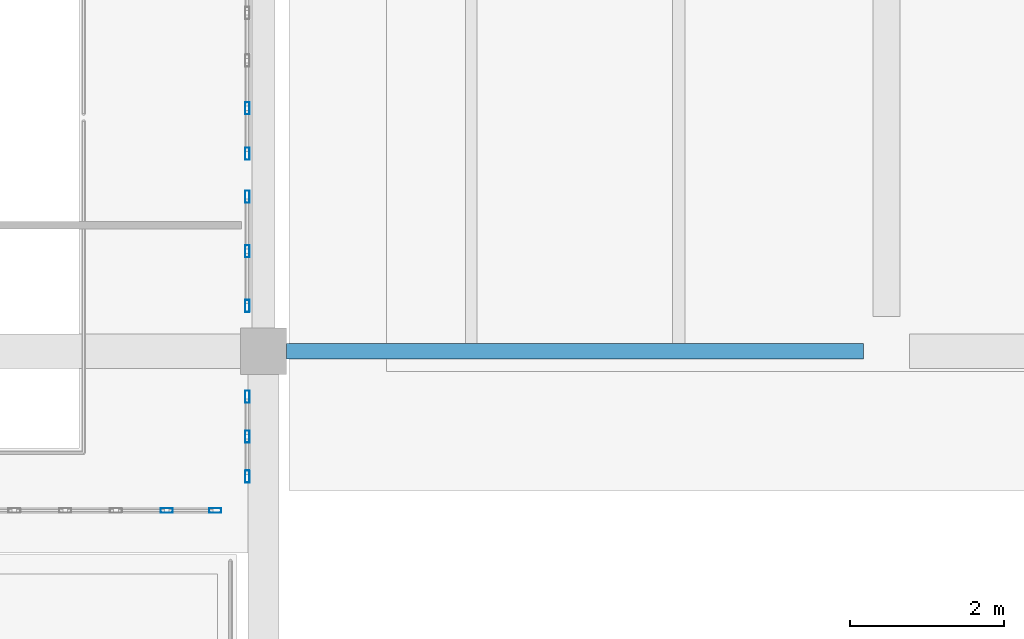
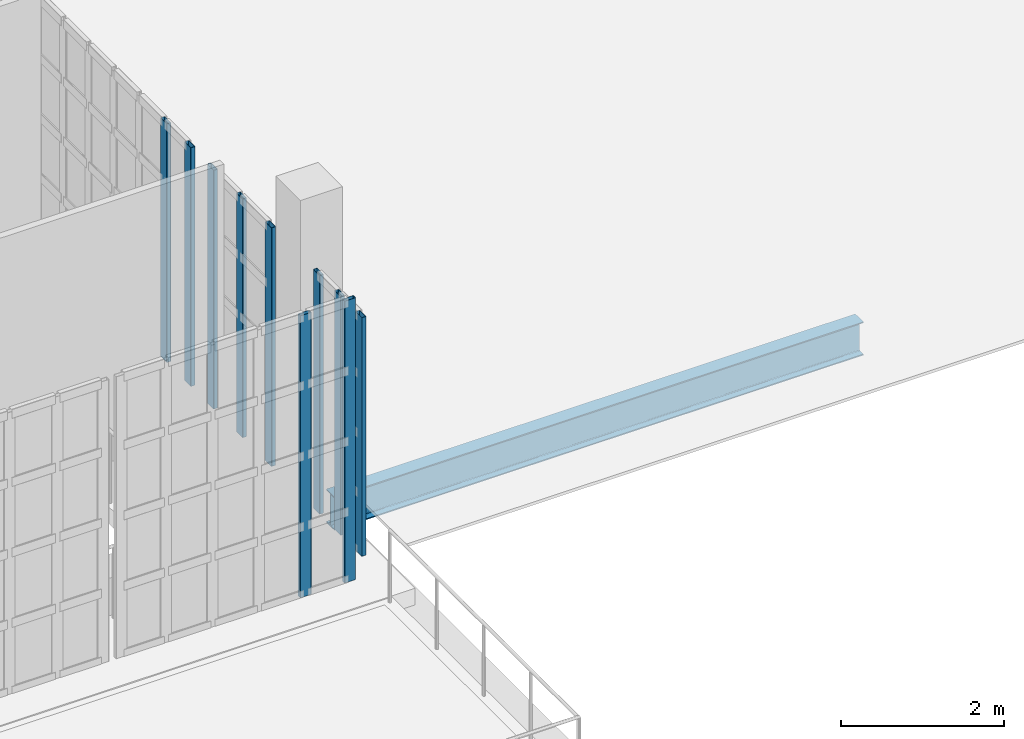
# One storey, part 14 of 56: 10 members, 1 beam, 4 elements without a shape of their own.
"""IFC4 building model written with IfcOpenShell, lengths in metres."""

from ifc_helpers import new_model, si_unit, direction, frame, origin, origin_2d, place, context, subcontext, project, spatial, hollow_rectangle, i_section, extrude, material, material_profile, profile_set, type_object, element, aggregate, save


model = new_model("IFC4")

# Units and contexts
model_context = context("Model", 3, precision=1e-05, world=origin(), true_north=direction((0.0, 1.0)))
body_context = subcontext(model_context, "Body", "Model", "MODEL_VIEW")
ifc_project = project(units=[si_unit("LENGTHUNIT", "METRE"), si_unit("AREAUNIT", "SQUARE_METRE"), si_unit("VOLUMEUNIT", "CUBIC_METRE"), si_unit("PLANEANGLEUNIT", "RADIAN"), si_unit("MASSUNIT", "GRAM", prefix="KILO")], contexts=[model_context])

# Site, building, storey
site_placement = place(None, origin())
site = spatial("IfcSite", under=ifc_project, at=site_placement, CompositionType="ELEMENT")
building_placement = place(site_placement, origin())
building = spatial("IfcBuilding", under=site, at=building_placement, Name="Kaelora Sail Theatre", CompositionType="ELEMENT")
storey_placement = place(building_placement, frame((0.0, 0.0, 14.699951171875)))
storey = spatial("IfcBuildingStorey", under=building, at=storey_placement, Name="L03", CompositionType="ELEMENT", Elevation=14.699951171875)

# Curtain wall, members
ifc_material_1 = material(Name="Anodised aluminium and solar-control low-E IGU", Category="aluminium")
curtain_wall_type = type_object("IfcCurtainWallType", Name="ARC-CW-CW-BRG", PredefinedType="NOTDEFINED", material=ifc_material_1)
curtain_wall_1_placement = place(storey_placement, origin())
curtain_wall_1 = element("IfcCurtainWall", 1, at=curtain_wall_1_placement, inside=storey, type_object=curtain_wall_type, Name="Glazed Foyer/Conservatory Curtain Wall FC1-S-L03-11", PredefinedType="NOTDEFINED")
ifc_material_2 = material(Name="Anodised aluminium 6063-T6", Category="aluminium")
ifc_material_profile_1 = material_profile(ifc_material_2, hollow_rectangle(XDim=0.06005859375, YDim=0.159912109375, WallThickness=0.00390625, InnerFilletRadius=0.00390625, OuterFilletRadius=0.008056640625, at=origin_2d()), Name="ALU-MULL 60x160x4")
ifc_profile_set_1 = profile_set([ifc_material_profile_1], Name="Anodised aluminium 6063-T6")
member_type = type_object("IfcMemberType", Name="ARC-MEM-ML-160", PredefinedType="MULLION", material=ifc_profile_set_1)
member_1_placement = place(storey_placement, frame((89.340087890625, 66.389892578125, 0.0), z_axis=(0.0, 0.0, 1.0), x_axis=(0.0, 1.0, 0.0)))
member_1 = element("IfcMember", 2, at=member_1_placement, type_object=member_type, Name="CW-BRG mullion 5", PredefinedType="MULLION", context=body_context, shape_type="SweptSolid", body=[
    extrude(hollow_rectangle(XDim=0.06005859375, YDim=0.159912109375, WallThickness=0.00390625, InnerFilletRadius=0.00390625, OuterFilletRadius=0.008056640625, at=origin_2d()), origin(), (0.0, 0.0, 1.0), 4.22509765625),
])
member_2_placement = place(storey_placement, frame((89.969970703125, 66.389892578125, 0.0), z_axis=(0.0, 0.0, 1.0), x_axis=(0.0, 1.0, 0.0)))
member_2 = element("IfcMember", 3, at=member_2_placement, type_object=member_type, Name="CW-BRG mullion 6", PredefinedType="MULLION", context=body_context, shape_type="SweptSolid", body=[
    extrude(hollow_rectangle(XDim=0.06005859375, YDim=0.159912109375, WallThickness=0.00390625, InnerFilletRadius=0.00390625, OuterFilletRadius=0.008056640625, at=origin_2d()), origin(), (0.0, 0.0, 1.0), 4.22509765625),
])
aggregate(curtain_wall_1, [member_1, member_2])

curtain_wall_2_placement = place(storey_placement, origin())
curtain_wall_2 = element("IfcCurtainWall", 4, at=curtain_wall_2_placement, inside=storey, type_object=curtain_wall_type, Name="Glazed Colonnade/Courtyard Curtain Wall FC1-STEP-E-L03-01", PredefinedType="NOTDEFINED")
member_3_placement = place(storey_placement, frame((90.389892578125, 66.830078125, 0.0), z_axis=(0.0, 0.0, 1.0), x_axis=(-1.0, 0.0, 0.0)))
member_3 = element("IfcMember", 5, at=member_3_placement, type_object=member_type, Name="CW-BRG mullion 1", PredefinedType="MULLION", context=body_context, shape_type="SweptSolid", body=[
    extrude(hollow_rectangle(XDim=0.06005859375, YDim=0.159912109375, WallThickness=0.00390625, InnerFilletRadius=0.00390625, OuterFilletRadius=0.008056640625, at=origin_2d()), origin(), (0.0, 0.0, 1.0), 3.5771484375),
])
member_4_placement = place(storey_placement, frame((90.389892578125, 67.35009765625, 0.0), z_axis=(0.0, 0.0, 1.0), x_axis=(-1.0, 0.0, 0.0)))
member_4 = element("IfcMember", 6, at=member_4_placement, type_object=member_type, Name="CW-BRG mullion 2", PredefinedType="MULLION", context=body_context, shape_type="SweptSolid", body=[
    extrude(hollow_rectangle(XDim=0.06005859375, YDim=0.159912109375, WallThickness=0.00390625, InnerFilletRadius=0.00390625, OuterFilletRadius=0.008056640625, at=origin_2d()), origin(), (0.0, 0.0, 1.0), 3.5771484375),
])
member_5_placement = place(storey_placement, frame((90.389892578125, 67.8701171875, 0.0), z_axis=(0.0, 0.0, 1.0), x_axis=(-1.0, 0.0, 0.0)))
member_5 = element("IfcMember", 7, at=member_5_placement, type_object=member_type, Name="CW-BRG mullion 3", PredefinedType="MULLION", context=body_context, shape_type="SweptSolid", body=[
    extrude(hollow_rectangle(XDim=0.06005859375, YDim=0.159912109375, WallThickness=0.00390625, InnerFilletRadius=0.00390625, OuterFilletRadius=0.008056640625, at=origin_2d()), origin(), (0.0, 0.0, 1.0), 3.5771484375),
])
aggregate(curtain_wall_2, [member_3, member_4, member_5])

curtain_wall_3_placement = place(storey_placement, origin())
curtain_wall_3 = element("IfcCurtainWall", 8, at=curtain_wall_3_placement, inside=storey, type_object=curtain_wall_type, Name="Glazed Colonnade/Courtyard Curtain Wall FC1-STEP-E-L03-01", PredefinedType="NOTDEFINED")
member_6_placement = place(storey_placement, frame((90.389892578125, 69.050048828125, 0.0), z_axis=(0.0, 0.0, 1.0), x_axis=(-1.0, 0.0, 0.0)))
member_6 = element("IfcMember", 9, at=member_6_placement, type_object=member_type, Name="CW-BRG mullion 1", PredefinedType="MULLION", context=body_context, shape_type="SweptSolid", body=[
    extrude(hollow_rectangle(XDim=0.06005859375, YDim=0.159912109375, WallThickness=0.00390625, InnerFilletRadius=0.00390625, OuterFilletRadius=0.008056640625, at=origin_2d()), origin(), (0.0, 0.0, 1.0), 3.5771484375),
])
member_7_placement = place(storey_placement, frame((90.389892578125, 69.760009765625, 0.0), z_axis=(0.0, 0.0, 1.0), x_axis=(-1.0, 0.0, 0.0)))
member_7 = element("IfcMember", 10, at=member_7_placement, type_object=member_type, Name="CW-BRG mullion 2", PredefinedType="MULLION", context=body_context, shape_type="SweptSolid", body=[
    extrude(hollow_rectangle(XDim=0.06005859375, YDim=0.159912109375, WallThickness=0.00390625, InnerFilletRadius=0.00390625, OuterFilletRadius=0.008056640625, at=origin_2d()), origin(), (0.0, 0.0, 1.0), 3.5771484375),
])
member_8_placement = place(storey_placement, frame((90.389892578125, 70.469970703125, 0.0), z_axis=(0.0, 0.0, 1.0), x_axis=(-1.0, 0.0, 0.0)))
member_8 = element("IfcMember", 11, at=member_8_placement, type_object=member_type, Name="CW-BRG mullion 3", PredefinedType="MULLION", context=body_context, shape_type="SweptSolid", body=[
    extrude(hollow_rectangle(XDim=0.06005859375, YDim=0.159912109375, WallThickness=0.00390625, InnerFilletRadius=0.00390625, OuterFilletRadius=0.008056640625, at=origin_2d()), origin(), (0.0, 0.0, 1.0), 3.5771484375),
])
aggregate(curtain_wall_3, [member_6, member_7, member_8])

curtain_wall_4_placement = place(storey_placement, origin())
curtain_wall_4 = element("IfcCurtainWall", 12, at=curtain_wall_4_placement, inside=storey, type_object=curtain_wall_type, Name="Glazed Colonnade/Courtyard Curtain Wall FC1-STEP-E-L03-02", PredefinedType="NOTDEFINED")
member_9_placement = place(storey_placement, frame((90.389892578125, 71.030029296875, 0.0), z_axis=(0.0, 0.0, 1.0), x_axis=(-1.0, 0.0, 0.0)))
member_9 = element("IfcMember", 13, at=member_9_placement, type_object=member_type, Name="CW-BRG mullion 1", PredefinedType="MULLION", context=body_context, shape_type="SweptSolid", body=[
    extrude(hollow_rectangle(XDim=0.06005859375, YDim=0.159912109375, WallThickness=0.00390625, InnerFilletRadius=0.00390625, OuterFilletRadius=0.008056640625, at=origin_2d()), origin(), (0.0, 0.0, 1.0), 3.5771484375),
])
member_10_placement = place(storey_placement, frame((90.389892578125, 71.6201171875, 0.0), z_axis=(0.0, 0.0, 1.0), x_axis=(-1.0, 0.0, 0.0)))
member_10 = element("IfcMember", 14, at=member_10_placement, type_object=member_type, Name="CW-BRG mullion 2", PredefinedType="MULLION", context=body_context, shape_type="SweptSolid", body=[
    extrude(hollow_rectangle(XDim=0.06005859375, YDim=0.159912109375, WallThickness=0.00390625, InnerFilletRadius=0.00390625, OuterFilletRadius=0.008056640625, at=origin_2d()), origin(), (0.0, 0.0, 1.0), 3.5771484375),
])
aggregate(curtain_wall_4, [member_9, member_10])

# Beam
ifc_material_3 = material(Name="Steel S355", Category="steel")
ifc_material_profile_2 = material_profile(ifc_material_3, i_section(OverallWidth=0.199951171875, OverallDepth=0.5, WebThickness=0.01025390625, FlangeThickness=0.01611328125, FilletRadius=0.02099609375, at=origin_2d()), Name="IPE 500")
ifc_profile_set_2 = profile_set([ifc_material_profile_2], Name="Steel S355")
beam_type = type_object("IfcBeamType", Name="STR-BM-BM-IPE500", PredefinedType="BEAM", material=ifc_profile_set_2)
beam_placement = place(storey_placement, frame((90.89990234375, 68.4599609375, -0.52490234375), z_axis=(1.0, 0.0, 0.0), x_axis=(0.0, 1.0, 0.0)))
element("IfcBeam", 15, at=beam_placement, inside=storey, type_object=beam_type, Name="Primary beam J 12-13 (L03)", PredefinedType="BEAM", context=body_context, shape_type="SweptSolid", body=[
    extrude(i_section(OverallWidth=0.199951171875, OverallDepth=0.5, WebThickness=0.01025390625, FlangeThickness=0.01611328125, FilletRadius=0.02099609375, at=origin_2d()), origin(), (0.0, 0.0, 1.0), 7.5),
])

save(model, "model.ifc")
